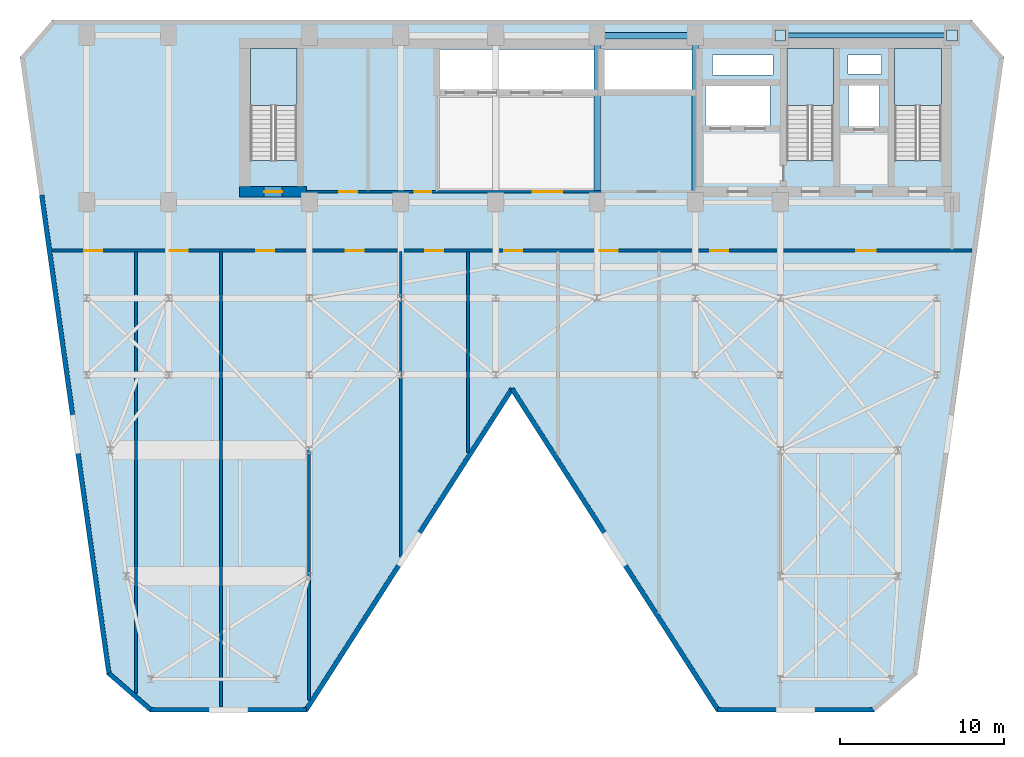
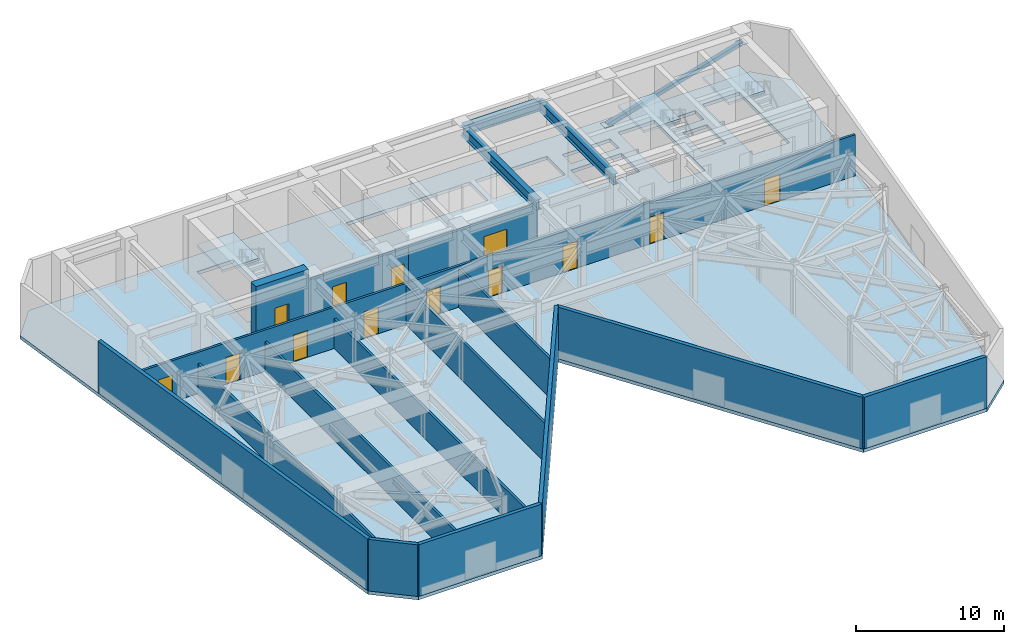
# One storey, part 3 of 8: 15 walls, 13 doors, 4 slabs, 3 beams, 2 plates, 1 member, 13 openings, 3 elements without a shape of their own.
"""IFC4 building model written with IfcOpenShell, lengths in metres."""

import ifcopenshell
import ifcopenshell.guid

model = None  # the IFC model being written
_history = None  # IfcOwnerHistory: only IFC2X3 demands one
_inside = {}  # id of a spatial element -> (the spatial element, [elements in it])
_under = {}  # id of a project, library or spatial element -> (it, [spatial elements below it])
_declared = {}  # id of a project -> (the project, [libraries it declares])
_typed = {}  # id of a type object -> (the type object, [elements of that type])
_made_of = {}  # id of a material, layer set ... -> (it, [elements and type objects made of it])


def new_model(schema):
    """Start an empty IFC model of exactly this schema.

    Asked for "IFC4X3", IfcOpenShell would pick the latest addendum, in which some entities
    have other attributes; the version numbers below select the first issue.
    IFC2X3 requires an IfcOwnerHistory on every rooted entity: one is made here for all.
    """
    global model, _history
    if schema == "IFC4X3":
        model = ifcopenshell.file(schema_version=(4, 3, 0, 0))
    else:
        model = ifcopenshell.file(schema=schema)
    _inside.clear()
    _under.clear()
    _declared.clear()
    _typed.clear()
    _made_of.clear()
    _history = None
    if model.schema == "IFC2X3":
        org = make("IfcOrganization", Name="unknown")
        user = make(
            "IfcPersonAndOrganization",
            ThePerson=make("IfcPerson", FamilyName="unknown"),
            TheOrganization=org,
        )
        app = make(
            "IfcApplication",
            ApplicationDeveloper=org,
            Version="unknown",
            ApplicationFullName="unknown",
            ApplicationIdentifier="unknown",
        )
        _history = make(
            "IfcOwnerHistory",
            OwningUser=user,
            OwningApplication=app,
            ChangeAction="ADDED",
            CreationDate=0,
        )
    return model


def make(cls, **values):
    """One entity of the class cls with the attributes given. An attribute that is None is left unset."""
    return model.create_entity(
        cls, **{name: value for name, value in values.items() if value is not None}
    )


def rooted(cls, **values):
    """An entity with a GlobalId (a new one), such as an element, a storey or a relation."""
    return make(cls, GlobalId=ifcopenshell.guid.new(), OwnerHistory=_history, **values)


def si_unit(unit_type, name, prefix=None):
    """IfcSIUnit, for example si_unit("LENGTHUNIT", "METRE", prefix="MILLI")."""
    return make("IfcSIUnit", UnitType=unit_type, Prefix=prefix, Name=name)


def assignment(units):
    """IfcUnitAssignment: the units of a project."""
    return None if units is None else make("IfcUnitAssignment", Units=units)


def point(xyz):
    """IfcCartesianPoint."""
    return None if xyz is None else make("IfcCartesianPoint", Coordinates=xyz)


def direction(xyz):
    """IfcDirection."""
    return None if xyz is None else make("IfcDirection", DirectionRatios=xyz)


def frame(location, z_axis=None, x_axis=None):
    """IfcAxis2Placement3D, a coordinate frame: its origin and axes. An axis left out is left unset."""
    return make(
        "IfcAxis2Placement3D",
        Location=point(location),
        Axis=direction(z_axis),
        RefDirection=direction(x_axis),
    )


def frame_2d(location, x_axis=None):
    """IfcAxis2Placement2D, a coordinate frame in the plane: its origin and x axis."""
    return make(
        "IfcAxis2Placement2D", Location=point(location), RefDirection=direction(x_axis)
    )


def origin():
    """The frame at (0, 0, 0) with its axes left unset."""
    return frame((0.0, 0.0, 0.0))


def origin_2d():
    """The frame at (0, 0) in the plane with its x axis left unset."""
    return frame_2d((0.0, 0.0))


def place(relative_to, where):
    """IfcLocalPlacement: puts the frame where relative to a parent placement (None: the world)."""
    return make(
        "IfcLocalPlacement", PlacementRelTo=relative_to, RelativePlacement=where
    )


def context(
    kind, dimensions, precision=None, world=None, true_north=None, identifier=None
):
    """IfcGeometricRepresentationContext, for example the 3D "Model" context."""
    return make(
        "IfcGeometricRepresentationContext",
        ContextIdentifier=identifier,
        ContextType=kind,
        CoordinateSpaceDimension=dimensions,
        Precision=precision,
        WorldCoordinateSystem=world,
        TrueNorth=true_north,
    )


def subcontext(parent, identifier, kind, view, scale=None):
    """IfcGeometricRepresentationSubContext, for example "Body" below "Model"."""
    return make(
        "IfcGeometricRepresentationSubContext",
        ContextIdentifier=identifier,
        ContextType=kind,
        ParentContext=parent,
        TargetScale=scale,
        TargetView=view,
    )


def project(units=None, contexts=None):
    """IfcProject with its units and contexts."""
    return rooted(
        "IfcProject",
        Name="project",
        RepresentationContexts=contexts,
        UnitsInContext=assignment(units),
    )


def spatial(cls, under=None, at=None, **own):
    """A site, building, storey or space (cls), placed at a placement, below another one or the project."""
    s = rooted(cls, ObjectPlacement=at, **own)
    if under is not None:
        _under.setdefault(under.id(), (under, []))[1].append(s)
    return s


def polyline(points):
    """IfcPolyline through the points."""
    return make("IfcPolyline", Points=[point(p) for p in points])


def profile(cls, at=None, kind="AREA", **sizes):
    """A parametric profile (cls). Its sizes go by their IFC names, for example OverallWidth=200.0."""
    return make(cls, ProfileType=kind, Position=at, **sizes)


def rectangle(**sizes):
    """IfcRectangleProfileDef."""
    return profile("IfcRectangleProfileDef", **sizes)


def hollow_rectangle(**sizes):
    """IfcRectangleHollowProfileDef."""
    return profile("IfcRectangleHollowProfileDef", **sizes)


def i_section(**sizes):
    """IfcIShapeProfileDef."""
    return profile("IfcIShapeProfileDef", **sizes)


def outline(outer, holes=None, kind="AREA"):
    """IfcArbitraryClosedProfileDef: a profile drawn as a closed curve; with holes, ...WithVoids."""
    if holes is None:
        return make("IfcArbitraryClosedProfileDef", ProfileType=kind, OuterCurve=outer)
    return make(
        "IfcArbitraryProfileDefWithVoids",
        ProfileType=kind,
        OuterCurve=outer,
        InnerCurves=holes,
    )


def extrude(swept, where, along, depth):
    """IfcExtrudedAreaSolid: the profile swept, set in the frame where, extruded along a direction by depth."""
    return make(
        "IfcExtrudedAreaSolid",
        SweptArea=swept,
        Position=where,
        ExtrudedDirection=direction(along),
        Depth=depth,
    )


def shape(context_of_items, identifier, shape_type, items):
    """IfcShapeRepresentation: the items that make up one representation, for example the "Body"."""
    return make(
        "IfcShapeRepresentation",
        ContextOfItems=context_of_items,
        RepresentationIdentifier=identifier,
        RepresentationType=shape_type,
        Items=items,
    )


def material(Name=None, Category=None):
    """IfcMaterial."""
    return make("IfcMaterial", Name=Name, Category=Category)


def layer(
    of_material, thickness, ventilated=None, Name=None, Category=None, Priority=None
):
    """IfcMaterialLayer: one layer of a wall or slab, of a material (None: an air gap)."""
    return make(
        "IfcMaterialLayer",
        Material=of_material,
        LayerThickness=thickness,
        IsVentilated=ventilated,
        Name=Name,
        Category=Category,
        Priority=Priority,
    )


def layer_set(layers, Name=None):
    """IfcMaterialLayerSet."""
    return make("IfcMaterialLayerSet", MaterialLayers=layers, LayerSetName=Name)


def material_profile(
    of_material, cross_section, Name=None, Category=None, Priority=None
):
    """IfcMaterialProfile: a cross section and its material."""
    return make(
        "IfcMaterialProfile",
        Name=Name,
        Material=of_material,
        Profile=cross_section,
        Priority=Priority,
        Category=Category,
    )


def profile_set(profiles, Name=None, composite=None):
    """IfcMaterialProfileSet."""
    return make(
        "IfcMaterialProfileSet",
        Name=Name,
        MaterialProfiles=profiles,
        CompositeProfile=composite,
    )


def made_of(thing, what):
    """Note that an element or type object is made of a material, layer set ...; save() writes the relation."""
    if what is not None:
        _made_of.setdefault(what.id(), (what, []))[1].append(thing)
    return thing


def type_object(cls, material=None, **own):
    """A type object (cls), such as IfcWallType, which elements share."""
    return made_of(rooted(cls, **own), material)


def element(
    cls,
    number,
    at=None,
    inside=None,
    cuts=None,
    type_object=None,
    material=None,
    context=None,
    identifier="Body",
    shape_type=None,
    held_by="IfcProductDefinitionShape",
    body=None,
    shapes=None,
    **own,
):
    """One element of the class cls, such as IfcWall. Its Tag is "e" and its number.

    at: its placement. inside: the storey or other place that contains it. cuts: it is an
    opening in that element (IfcRelVoidsElement). A single representation is given by context,
    identifier, shape_type and body (its items); several are given by shapes. held_by: the class
    of the entity that holds the representations. save() writes the other relations.
    """
    e = rooted(cls, Tag="e%d" % number, ObjectPlacement=at, **own)
    if body is not None:
        shapes = [shape(context, identifier, shape_type, body)]
    if shapes is not None:
        e.Representation = make(held_by, Representations=shapes)
    if inside is not None:
        _inside.setdefault(inside.id(), (inside, []))[1].append(e)
    if cuts is not None:
        rooted(
            "IfcRelVoidsElement", RelatingBuildingElement=cuts, RelatedOpeningElement=e
        )
    if type_object is not None:
        _typed.setdefault(type_object.id(), (type_object, []))[1].append(e)
    return made_of(e, material)


def fill(opening, filler):
    """IfcRelFillsElement: the door or window that sits in an opening."""
    return rooted(
        "IfcRelFillsElement",
        RelatingOpeningElement=opening,
        RelatedBuildingElement=filler,
    )


def aggregate(whole, parts):
    """IfcRelAggregates: a whole, such as a stair, and the parts it consists of."""
    return rooted("IfcRelAggregates", RelatingObject=whole, RelatedObjects=parts)


def save(model, path):
    """Write the relations noted so far, then the file.

    IfcRelAggregates (storeys below a building ...), IfcRelContainedInSpatialStructure (elements
    in a storey), IfcRelDefinesByType, IfcRelAssociatesMaterial and IfcRelDeclares: one each for
    every whole, place, type object, material and project.
    """
    for whole, parts in _under.values():
        aggregate(whole, parts)
    for where, things in _inside.values():
        rooted(
            "IfcRelContainedInSpatialStructure",
            RelatedElements=things,
            RelatingStructure=where,
        )
    for kind, things in _typed.values():
        rooted("IfcRelDefinesByType", RelatedObjects=things, RelatingType=kind)
    for what, things in _made_of.values():
        rooted("IfcRelAssociatesMaterial", RelatedObjects=things, RelatingMaterial=what)
    for by, libraries in _declared.values():
        rooted("IfcRelDeclares", RelatingContext=by, RelatedDefinitions=libraries)
    model.write(path)


model = new_model("IFC4")

# Units and contexts
model_context = context("Model", 3, precision=1e-05, world=origin(), true_north=direction((0.0, 1.0)))
body_context = subcontext(model_context, "Body", "Model", "MODEL_VIEW")
ifc_project = project(units=[si_unit("LENGTHUNIT", "METRE"), si_unit("AREAUNIT", "SQUARE_METRE"), si_unit("VOLUMEUNIT", "CUBIC_METRE"), si_unit("PLANEANGLEUNIT", "RADIAN"), si_unit("MASSUNIT", "GRAM", prefix="KILO")], contexts=[model_context])

# Site, building, storey
site_placement = place(None, origin())
site = spatial("IfcSite", under=ifc_project, at=site_placement, CompositionType="ELEMENT")
building_placement = place(site_placement, origin())
building = spatial("IfcBuilding", under=site, at=building_placement, Name="Kravanh Interchange Tower", CompositionType="ELEMENT")
storey_placement = place(building_placement, frame((0.0, 0.0, 156.0)))
storey = spatial("IfcBuildingStorey", under=building, at=storey_placement, Name="L37", CompositionType="ELEMENT", Elevation=156.0)

# Beams
ifc_material_1 = material(Name="Structural Steel S355", Category="steel")
ifc_material_profile_1 = material_profile(ifc_material_1, i_section(OverallWidth=0.39990234375, OverallDepth=0.85595703125, WebThickness=0.018310546875, FlangeThickness=0.029296875, FilletRadius=0.02490234375, at=origin_2d()), Name="W33X201")
ifc_profile_set_1 = profile_set([ifc_material_profile_1], Name="Structural Steel S355")
beam_type = type_object("IfcBeamType", Name="Floor Beam W33X201 Structural Steel S355", PredefinedType="BEAM", material=ifc_profile_set_1)
beam_placement = place(storey_placement, frame((50.800048828125, 47.550048828125, 3.822021484375), z_axis=(-1.0, 0.0, 0.0), x_axis=(0.0, -1.0, 0.0)))
element("IfcBeam", 1, at=beam_placement, inside=storey, type_object=beam_type, Name="L37 Primary Floor Girder 8", PredefinedType="BEAM", context=body_context, shape_type="SweptSolid", body=[
    extrude(i_section(OverallWidth=0.39990234375, OverallDepth=0.85595703125, WebThickness=0.018310546875, FlangeThickness=0.029296875, FilletRadius=0.02490234375, at=origin_2d()), origin(), (0.0, 0.0, 1.0), 6.0),
])
for number, where, z_axis, x_axis, name in (
    (2, (50.800048828125, 47.550048828125, 3.822021484375), (0.0, -1.0, 0.0), (1.0, 0.0, 0.0), "L37 Primary Floor Girder 9"),
    (3, (44.800048828125, 37.35009765625, 3.822021484375), (0.0, 1.0, 0.0), (-1.0, 0.0, 0.0), "L37 Primary Floor Girder 14"),
):
    element("IfcBeam", number, at=place(storey_placement, frame(where, z_axis=z_axis, x_axis=x_axis)), inside=storey, type_object=beam_type, Name=name, PredefinedType="BEAM", context=body_context, shape_type="SweptSolid", body=[
        extrude(i_section(OverallWidth=0.39990234375, OverallDepth=0.85595703125, WebThickness=0.018310546875, FlangeThickness=0.029296875, FilletRadius=0.02490234375, at=origin_2d()), origin(), (0.0, 0.0, 1.0), 10.199951171875),
    ])

# Member
ifc_material_2 = material(Name="Structural Steel S355", Category="steel")
ifc_material_profile_2 = material_profile(ifc_material_2, hollow_rectangle(XDim=0.300048828125, YDim=0.300048828125, WallThickness=0.011962890625, at=origin_2d()), Name="HSS300X300X12")
ifc_profile_set_2 = profile_set([ifc_material_profile_2], Name="Structural Steel S355")
member_type = type_object("IfcMemberType", Name="Frame Brace HSS300X300X12 Structural Steel S355", PredefinedType="BRACE", material=ifc_profile_set_2)
member_placement = place(storey_placement, frame((56.0, 47.550048828125, 0.300048828125), z_axis=(0.959222964601, 0.0, 0.282650498288), x_axis=(0.0, 1.0, 0.0)))
element("IfcMember", 4, at=member_placement, inside=storey, type_object=member_type, Name="L37 Spine Frame Steel Brace 1", PredefinedType="BRACE", context=body_context, shape_type="SweptSolid", body=[
    extrude(hollow_rectangle(XDim=0.300048828125, YDim=0.300048828125, WallThickness=0.011962890625, at=origin_2d()), origin(), (0.0, 0.0, 1.0), 10.9462890625),
])

# Slab
ifc_material_3 = material(Name="Concrete C60/75", Category="concrete")
ifc_layer_1 = layer(ifc_material_3, 0.280029296875)
ifc_layer_set_1 = layer_set([ifc_layer_1], Name="Composite Floor Slab Concrete C60/75 280mm")
slab_type_1 = type_object("IfcSlabType", Name="Composite Floor Slab Concrete C60/75 280mm", PredefinedType="FLOOR", material=ifc_layer_set_1)
slab_1_placement = place(storey_placement, frame((0.0, 0.0, -0.280029296875)))
element("IfcSlab", 5, at=slab_1_placement, inside=storey, type_object=slab_type_1, Name="L37 Structural Floor Slab", PredefinedType="FLOOR", context=body_context, shape_type="SweptSolid", body=[
    extrude(outline(polyline([(14.82470703125, 8.4775390625), (17.44482421875, 6.199951171875), (27.10009765625, 6.199951171875), (39.60009765625, 25.699951171875), (52.10009765625, 6.199951171875), (61.755126953125, 6.199951171875), (64.375244140625, 8.4775390625), (69.679931640625, 46.222412109375), (67.699951171875, 48.5), (11.5, 48.5), (9.52001953125, 46.222412109375), (14.82470703125, 8.4775390625)]), holes=[polyline([(65.85009765625, 39.925048828125), (65.85009765625, 46.75), (63.0, 46.75), (63.0, 39.925048828125), (65.85009765625, 39.925048828125)]), polyline([(59.25, 39.925048828125), (59.25, 46.75), (56.39990234375, 46.75), (56.39990234375, 39.925048828125), (59.25, 39.925048828125)]), polyline([(26.449951171875, 39.925048828125), (26.449951171875, 46.75), (23.60009765625, 46.75), (23.60009765625, 39.925048828125), (26.449951171875, 39.925048828125)]), polyline([(35.179931640625, 44.219970703125), (44.840087890625, 44.219970703125), (44.840087890625, 46.699951171875), (35.179931640625, 46.699951171875), (35.179931640625, 44.219970703125)]), polyline([(45.239990234375, 44.219970703125), (50.840087890625, 44.219970703125), (50.840087890625, 46.699951171875), (45.239990234375, 46.699951171875), (45.239990234375, 44.219970703125)]), polyline([(51.419921875, 42.02001953125), (55.3798828125, 42.02001953125), (55.3798828125, 44.47998046875), (51.419921875, 44.47998046875), (51.419921875, 42.02001953125)]), polyline([(60.179931640625, 41.97998046875), (62.06005859375, 41.97998046875), (62.06005859375, 44.52001953125), (60.179931640625, 44.52001953125), (60.179931640625, 41.97998046875)]), polyline([(60.14990234375, 45.199951171875), (62.199951171875, 45.199951171875), (62.199951171875, 46.35009765625), (60.14990234375, 46.35009765625), (60.14990234375, 45.199951171875)]), polyline([(51.85009765625, 45.14990234375), (55.550048828125, 45.14990234375), (55.550048828125, 46.35009765625), (51.85009765625, 46.35009765625), (51.85009765625, 45.14990234375)])]), origin(), (0.0, 0.0, 1.0), 0.280029296875),
])

# Stair, slab
ifc_material_4 = material(Name="Concrete C50/60", Category="concrete")
stair_type = type_object("IfcStairType", Name="Core Fire Exit Dogleg Stair Concrete C50/60", PredefinedType="HALF_TURN_STAIR", material=ifc_material_4)
stair_1_placement = place(storey_placement, origin())
stair_1 = element("IfcStair", 6, at=stair_1_placement, inside=storey, type_object=stair_type, Name="L37 Exit Stair ST1", PredefinedType="HALF_TURN_STAIR")
ifc_material_5 = material(Name="Concrete C50/60", Category="concrete")
ifc_layer_2 = layer(ifc_material_5, 0.199951171875)
ifc_layer_set_2 = layer_set([ifc_layer_2], Name="Concrete C50/60 Stair Half-Landing Slab 200mm")
slab_type_2 = type_object("IfcSlabType", Name="Concrete C50/60 Stair Half-Landing Slab 200mm", PredefinedType="LANDING", material=ifc_layer_set_2)
slab_2_placement = place(storey_placement, frame((0.0, 0.0, 2.050048828125)))
slab_2 = element("IfcSlab", 7, at=slab_2_placement, type_object=slab_type_2, Name="ST1 landing 1", PredefinedType="LANDING", context=body_context, shape_type="SweptSolid", body=[
    extrude(outline(polyline([(65.85009765625, 43.260009765625), (65.85009765625, 46.75), (63.0, 46.75), (63.0, 43.260009765625), (65.85009765625, 43.260009765625)])), origin(), (0.0, 0.0, 1.0), 0.199951171875),
])
aggregate(stair_1, [slab_2])

stair_2_placement = place(storey_placement, origin())
stair_2 = element("IfcStair", 8, at=stair_2_placement, inside=storey, type_object=stair_type, Name="L37 Exit Stair ST2", PredefinedType="HALF_TURN_STAIR")
slab_3_placement = place(storey_placement, frame((0.0, 0.0, 2.050048828125)))
slab_3 = element("IfcSlab", 9, at=slab_3_placement, type_object=slab_type_2, Name="ST2 landing 1", PredefinedType="LANDING", context=body_context, shape_type="SweptSolid", body=[
    extrude(outline(polyline([(59.25, 43.260009765625), (59.25, 46.75), (56.39990234375, 46.75), (56.39990234375, 43.260009765625), (59.25, 43.260009765625)])), origin(), (0.0, 0.0, 1.0), 0.199951171875),
])
aggregate(stair_2, [slab_3])

stair_3_placement = place(storey_placement, origin())
stair_3 = element("IfcStair", 10, at=stair_3_placement, inside=storey, type_object=stair_type, Name="L37 Exit Stair ST3", PredefinedType="HALF_TURN_STAIR")
slab_4_placement = place(storey_placement, frame((0.0, 0.0, 2.050048828125)))
slab_4 = element("IfcSlab", 11, at=slab_4_placement, type_object=slab_type_2, Name="ST3 landing 1", PredefinedType="LANDING", context=body_context, shape_type="SweptSolid", body=[
    extrude(outline(polyline([(26.449951171875, 43.260009765625), (26.449951171875, 46.75), (23.60009765625, 46.75), (23.60009765625, 43.260009765625), (26.449951171875, 43.260009765625)])), origin(), (0.0, 0.0, 1.0), 0.199951171875),
])
aggregate(stair_3, [slab_4])

# Plates
ifc_material_6 = material(Name="Structural Steel S450", Category="steel")
ifc_layer_3 = layer(ifc_material_6, 0.031982421875)
ifc_layer_set_3 = layer_set([ifc_layer_3], Name="Flange Continuity Node Plate 650x650x32 S450")
plate_type = type_object("IfcPlateType", Name="Flange Continuity Node Plate 650x650x32 S450", PredefinedType="SHEET", material=ifc_layer_set_3)
for number, where, z_axis, x_axis, name in (
    (12, (56.0, 47.550048828125, 0.2841796875), (0.0, 0.0, 1.0), (1.0, 0.0, 0.0), "L37 Spine Brace Lower Gusset Plate"),
    (13, (66.5, 47.550048828125, 3.3779296875), (0.0, 0.0, 1.0), (1.0, 0.0, 0.0), "L37 Spine Brace Upper Gusset Plate"),
):
    element("IfcPlate", number, at=place(storey_placement, frame(where, z_axis=z_axis, x_axis=x_axis)), inside=storey, type_object=plate_type, Name=name, PredefinedType="SHEET", context=body_context, shape_type="SweptSolid", body=[
        extrude(rectangle(XDim=0.64990234375, YDim=0.64990234375, at=origin_2d()), origin(), (0.0, 0.0, 1.0), 0.031982421875),
    ])

# Wall, opening, door
ifc_material_7 = material(Name="Concrete C70/85", Category="concrete")
ifc_layer_4 = layer(ifc_material_7, 0.64990234375)
ifc_layer_set_4 = layer_set([ifc_layer_4], Name="Core Shear Wall Concrete C70/85 650mm")
wall_type_1 = type_object("IfcWallType", Name="Core Shear Wall Concrete C70/85 650mm", PredefinedType="SHEAR", material=ifc_layer_set_4)
wall_1_placement = place(storey_placement, frame((22.949951171875, 38.0, 0.0), z_axis=(0.0, 0.0, 1.0), x_axis=(1.0, 0.0, 0.0)))
wall_1 = element("IfcWall", 14, at=wall_1_placement, inside=storey, type_object=wall_type_1, Name="L37 Stair ST3 South Shear Wall", PredefinedType="SHEAR", context=body_context, shape_type="SweptSolid", body=[
    extrude(rectangle(XDim=4.10009765625, YDim=0.64990234375, at=frame_2d((2.050048828125, 0.0))), origin(), (0.0, 0.0, 1.0), 4.5),
])
opening_1_placement = place(wall_1_placement, frame((1.5, 0.0, 0.0)))
opening_1 = element("IfcOpeningElement", 15, at=opening_1_placement, cuts=wall_1, Name="Opening D-STAIR-110", PredefinedType="OPENING", context=body_context, shape_type="SweptSolid", body=[
    extrude(rectangle(XDim=1.10009765625, YDim=2.199951171875, at=frame_2d((0.550048828125, 1.10009765625))), frame((0.0, 0.3349609375, 0.0), z_axis=(0.0, -1.0, 0.0), x_axis=(1.0, 0.0, 0.0)), (0.0, 0.0, 1.0), 0.669921875),
])
ifc_material_8 = material(Name="Structural Steel S355", Category="steel")
door_type_1 = type_object("IfcDoorType", Name="Fire-Rated Exit Stair Door 1100x2200", OperationType="NOTDEFINED", PredefinedType="DOOR", material=ifc_material_8)
door_1_placement = place(opening_1_placement, origin())
door_1 = element("IfcDoor", 16, at=door_1_placement, inside=storey, type_object=door_type_1, Name="L37 Exit Stair ST3 Door", OperationType="SINGLE_SWING_RIGHT", OverallHeight=2.199951171875, OverallWidth=1.10009765625, PredefinedType="DOOR", context=body_context, shape_type="SweptSolid", body=[
    extrude(rectangle(XDim=1.10009765625, YDim=2.199951171875, at=frame_2d((0.550048828125, 1.10009765625))), frame((0.0, 0.02490234375, 0.0), z_axis=(0.0, -1.0, 0.0), x_axis=(1.0, 0.0, 0.0)), (0.0, 0.0, 1.0), 0.050048828125),
])
fill(opening_1, door_1)

# Walls
ifc_material_9 = material(Name="Insulated Precast Concrete C40/50 with Bronze Cladding", Category="concrete")
ifc_layer_5 = layer(ifc_material_9, 0.280029296875)
ifc_layer_set_5 = layer_set([ifc_layer_5], Name="Exterior Insulated Concrete C40/50 Bronze Spandrel Wall 280mm")
wall_type_2 = type_object("IfcWallType", Name="Exterior Insulated Concrete C40/50 Bronze Spandrel Wall 280mm", PredefinedType="STANDARD", material=ifc_layer_set_5)
wall_2_placement = place(storey_placement, frame((14.956298828125, 8.548828125, 0.0), z_axis=(0.0, 0.0, 1.0), x_axis=(-0.139176188744, 0.990267634777, 0.0)))
element("IfcWall", 17, at=wall_2_placement, inside=storey, type_object=wall_type_2, Name="L37 Exterior Enclosure Wall 1", PredefinedType="STANDARD", context=body_context, shape_type="SweptSolid", body=[
    extrude(rectangle(XDim=29.538818359375, YDim=0.280029296875, at=frame_2d((14.76953125, 0.0))), origin(), (0.0, 0.0, 1.0), 4.25),
])
wall_3_placement = place(storey_placement, frame((61.702880859375, 6.340087890625, 0.0), z_axis=(0.0, 0.0, 1.0), x_axis=(-1.0, 0.0, 0.0)))
element("IfcWall", 18, at=wall_3_placement, inside=storey, type_object=wall_type_2, Name="L37 Exterior Enclosure Wall 9", PredefinedType="STANDARD", context=body_context, shape_type="SweptSolid", body=[
    extrude(rectangle(XDim=9.5263671875, YDim=0.280029296875, at=frame_2d((4.76318359375, 0.0))), origin(), (0.0, 0.0, 1.0), 4.25),
])
wall_4_placement = place(storey_placement, frame((52.176513671875, 6.340087890625, 0.0), z_axis=(0.0, 0.0, 1.0), x_axis=(-0.539662687725, 0.841881335746, 0.0)))
element("IfcWall", 19, at=wall_4_placement, inside=storey, type_object=wall_type_2, Name="L37 Exterior Enclosure Wall 10", PredefinedType="STANDARD", context=body_context, shape_type="SweptSolid", body=[
    extrude(rectangle(XDim=23.30419921875, YDim=0.280029296875, at=frame_2d((11.652099609375, 0.0))), origin(), (0.0, 0.0, 1.0), 4.25),
])
wall_5_placement = place(storey_placement, frame((39.60009765625, 25.95947265625, 0.0), z_axis=(0.0, 0.0, 1.0), x_axis=(-0.539670112848, -0.841876576048, 0.0)))
element("IfcWall", 20, at=wall_5_placement, inside=storey, type_object=wall_type_2, Name="L37 Exterior Enclosure Wall 11", PredefinedType="STANDARD", context=body_context, shape_type="SweptSolid", body=[
    extrude(rectangle(XDim=23.304443359375, YDim=0.280029296875, at=frame_2d((11.65234375, 0.0))), origin(), (0.0, 0.0, 1.0), 4.25),
])
wall_6_placement = place(storey_placement, frame((27.0234375, 6.340087890625, 0.0), z_axis=(0.0, 0.0, 1.0), x_axis=(-1.0, 0.0, 0.0)))
element("IfcWall", 21, at=wall_6_placement, inside=storey, type_object=wall_type_2, Name="L37 Exterior Enclosure Wall 12", PredefinedType="STANDARD", context=body_context, shape_type="SweptSolid", body=[
    extrude(rectangle(XDim=9.526123046875, YDim=0.280029296875, at=frame_2d((4.76318359375, 0.0))), origin(), (0.0, 0.0, 1.0), 4.25),
])
wall_7_placement = place(storey_placement, frame((17.497314453125, 6.340087890625, 0.0), z_axis=(0.0, 0.0, 1.0), x_axis=(-0.754728837785, 0.656036875042, 0.0)))
element("IfcWall", 22, at=wall_7_placement, inside=storey, type_object=wall_type_2, Name="L37 Exterior Enclosure Wall 13", PredefinedType="STANDARD", context=body_context, shape_type="SweptSolid", body=[
    extrude(rectangle(XDim=3.36669921875, YDim=0.280029296875, at=frame_2d((1.683349609375, 0.0))), origin(), (0.0, 0.0, 1.0), 4.25),
])

# Wall, openings, doors
ifc_material_10 = material(Name="Autoclaved Aerated Concrete C30/37 Blockwork", Category="masonry")
ifc_layer_6 = layer(ifc_material_10, 0.179931640625)
ifc_layer_set_6 = layer_set([ifc_layer_6], Name="Fire-Rated Lobby and Corridor Wall Concrete C30/37 180mm")
wall_type_3 = type_object("IfcWallType", Name="Fire-Rated Lobby and Corridor Wall Concrete C30/37 180mm", PredefinedType="STANDARD", material=ifc_layer_set_6)
wall_8_placement = place(storey_placement, frame((27.050048828125, 38.0, 0.0), z_axis=(0.0, 0.0, 1.0), x_axis=(1.0, 0.0, 0.0)))
wall_8 = element("IfcWall", 23, at=wall_8_placement, inside=storey, type_object=wall_type_3, Name="L37 Interior Partition 2", PredefinedType="STANDARD", context=body_context, shape_type="SweptSolid", body=[
    extrude(rectangle(XDim=7.949951171875, YDim=0.179931640625, at=frame_2d((3.97509765625, 0.0))), origin(), (0.0, 0.0, 1.0), 3.39404296875),
])
opening_2_placement = place(wall_8_placement, frame((2.0, 0.0, 0.0)))
opening_2 = element("IfcOpeningElement", 24, at=opening_2_placement, cuts=wall_8, Name="Opening D-STAIR-110", PredefinedType="OPENING", context=body_context, shape_type="SweptSolid", body=[
    extrude(rectangle(XDim=1.10009765625, YDim=2.199951171875, at=frame_2d((0.550048828125, 1.10009765625))), frame((0.0, 0.10009765625, 0.0), z_axis=(0.0, -1.0, 0.0), x_axis=(1.0, 0.0, 0.0)), (0.0, 0.0, 1.0), 0.199951171875),
])
opening_3_placement = place(wall_8_placement, frame((6.60009765625, 0.0, 0.0)))
opening_3 = element("IfcOpeningElement", 25, at=opening_3_placement, cuts=wall_8, Name="Opening D-HOTEL-100", PredefinedType="OPENING", context=body_context, shape_type="SweptSolid", body=[
    extrude(rectangle(XDim=1.0, YDim=2.14990234375, at=frame_2d((0.5, 1.074951171875))), frame((0.0, 0.10009765625, 0.0), z_axis=(0.0, -1.0, 0.0), x_axis=(1.0, 0.0, 0.0)), (0.0, 0.0, 1.0), 0.199951171875),
])
door_2_placement = place(opening_2_placement, origin())
door_2 = element("IfcDoor", 26, at=door_2_placement, inside=storey, type_object=door_type_1, Name="L37 Core Booster Tank Room Door", OperationType="SINGLE_SWING_RIGHT", OverallHeight=2.199951171875, OverallWidth=1.10009765625, PredefinedType="DOOR", context=body_context, shape_type="SweptSolid", body=[
    extrude(rectangle(XDim=1.10009765625, YDim=2.199951171875, at=frame_2d((0.550048828125, 1.10009765625))), frame((0.0, 0.02490234375, 0.0), z_axis=(0.0, -1.0, 0.0), x_axis=(1.0, 0.0, 0.0)), (0.0, 0.0, 1.0), 0.050048828125),
])
fill(opening_2, door_2)
ifc_material_11 = material(Name="Fire-Rated Solid Timber Leaf", Category="wood")
door_type_2 = type_object("IfcDoorType", Name="Fire-Rated Suite Entrance Door 1000x2150", OperationType="NOTDEFINED", PredefinedType="DOOR", material=ifc_material_11)
door_3_placement = place(opening_3_placement, origin())
door_3 = element("IfcDoor", 27, at=door_3_placement, inside=storey, type_object=door_type_2, Name="L37 Core Switchgear Room Door", OperationType="SINGLE_SWING_LEFT", OverallHeight=2.14990234375, OverallWidth=1.0, PredefinedType="DOOR", context=body_context, shape_type="SweptSolid", body=[
    extrude(rectangle(XDim=1.0, YDim=2.14990234375, at=frame_2d((0.5, 1.074951171875))), frame((0.0, 0.02490234375, 0.0), z_axis=(0.0, -1.0, 0.0), x_axis=(1.0, 0.0, 0.0)), (0.0, 0.0, 1.0), 0.050048828125),
])
fill(opening_3, door_3)

# Wall, opening, door
wall_9_placement = place(storey_placement, frame((35.0, 38.0, 0.0), z_axis=(0.0, 0.0, 1.0), x_axis=(1.0, 0.0, 0.0)))
wall_9 = element("IfcWall", 28, at=wall_9_placement, inside=storey, type_object=wall_type_3, Name="L37 Interior Partition 5", PredefinedType="STANDARD", context=body_context, shape_type="SweptSolid", body=[
    extrude(rectangle(XDim=10.050048828125, YDim=0.179931640625, at=frame_2d((5.02490234375, 0.0))), origin(), (0.0, 0.0, 1.0), 3.39404296875),
])
opening_4_placement = place(wall_9_placement, frame((5.85791015625, 0.0, 0.0)))
opening_4 = element("IfcOpeningElement", 29, at=opening_4_placement, cuts=wall_9, Name="Opening DBL-180", PredefinedType="OPENING", context=body_context, shape_type="SweptSolid", body=[
    extrude(rectangle(XDim=1.800048828125, YDim=2.199951171875, at=frame_2d((0.89990234375, 1.10009765625))), frame((0.0, 0.10009765625, 0.0), z_axis=(0.0, -1.0, 0.0), x_axis=(1.0, 0.0, 0.0)), (0.0, 0.0, 1.0), 0.199951171875),
])
ifc_material_12 = material(Name="Structural Steel S355", Category="steel")
door_type_3 = type_object("IfcDoorType", Name="Lift Lobby Double Fire Door 1800x2200", OperationType="DOUBLE_DOOR_SINGLE_SWING", PredefinedType="DOOR", material=ifc_material_12)
door_4_placement = place(opening_4_placement, origin())
door_4 = element("IfcDoor", 30, at=door_4_placement, inside=storey, type_object=door_type_3, Name="L37 Mid-Rise Lift Lobby Door", OperationType="DOUBLE_DOOR_SINGLE_SWING", OverallHeight=2.199951171875, OverallWidth=1.800048828125, PredefinedType="DOOR", context=body_context, shape_type="SweptSolid", body=[
    extrude(rectangle(XDim=1.800048828125, YDim=2.199951171875, at=frame_2d((0.89990234375, 1.10009765625))), frame((0.0, 0.02490234375, 0.0), z_axis=(0.0, -1.0, 0.0), x_axis=(1.0, 0.0, 0.0)), (0.0, 0.0, 1.0), 0.050048828125),
])
fill(opening_4, door_4)

# Wall, openings, doors
wall_10_placement = place(storey_placement, frame((11.48974609375, 34.39990234375, 0.0), z_axis=(0.0, 0.0, 1.0), x_axis=(1.0, 0.0, 0.0)))
wall_10 = element("IfcWall", 31, at=wall_10_placement, inside=storey, type_object=wall_type_3, Name="L37 Interior Partition 6", PredefinedType="STANDARD", context=body_context, shape_type="SweptSolid", body=[
    extrude(rectangle(XDim=56.220458984375, YDim=0.179931640625, at=frame_2d((28.1103515625, 0.0))), origin(), (0.0, 0.0, 1.0), 3.39404296875),
])
opening_5_placement = place(wall_10_placement, frame((49.160400390625, 0.0, 0.0)))
opening_5 = element("IfcOpeningElement", 32, at=opening_5_placement, cuts=wall_10, Name="Opening D-FSAE-120", PredefinedType="OPENING", context=body_context, shape_type="SweptSolid", body=[
    extrude(rectangle(XDim=1.199951171875, YDim=2.199951171875, at=frame_2d((0.60009765625, 1.10009765625))), frame((0.0, 0.10009765625, 0.0), z_axis=(0.0, -1.0, 0.0), x_axis=(1.0, 0.0, 0.0)), (0.0, 0.0, 1.0), 0.199951171875),
])
opening_6_placement = place(wall_10_placement, frame((1.9453125, 0.0, 0.0)))
opening_6 = element("IfcOpeningElement", 33, at=opening_6_placement, cuts=wall_10, Name="Opening D-STAIR-110", PredefinedType="OPENING", context=body_context, shape_type="SweptSolid", body=[
    extrude(rectangle(XDim=1.10009765625, YDim=2.199951171875, at=frame_2d((0.550048828125, 1.10009765625))), frame((0.0, 0.10009765625, 0.0), z_axis=(0.0, -1.0, 0.0), x_axis=(1.0, 0.0, 0.0)), (0.0, 0.0, 1.0), 0.199951171875),
])
opening_7_placement = place(wall_10_placement, frame((7.200927734375, 0.0, 0.0)))
opening_7 = element("IfcOpeningElement", 34, at=opening_7_placement, cuts=wall_10, Name="Opening D-STAIR-110", PredefinedType="OPENING", context=body_context, shape_type="SweptSolid", body=[
    extrude(rectangle(XDim=1.10009765625, YDim=2.199951171875, at=frame_2d((0.550048828125, 1.10009765625))), frame((0.0, 0.10009765625, 0.0), z_axis=(0.0, -1.0, 0.0), x_axis=(1.0, 0.0, 0.0)), (0.0, 0.0, 1.0), 0.199951171875),
])
opening_8_placement = place(wall_10_placement, frame((12.460205078125, 0.0, 0.0)))
opening_8 = element("IfcOpeningElement", 35, at=opening_8_placement, cuts=wall_10, Name="Opening D-STAIR-110", PredefinedType="OPENING", context=body_context, shape_type="SweptSolid", body=[
    extrude(rectangle(XDim=1.10009765625, YDim=2.199951171875, at=frame_2d((0.550048828125, 1.10009765625))), frame((0.0, 0.10009765625, 0.0), z_axis=(0.0, -1.0, 0.0), x_axis=(1.0, 0.0, 0.0)), (0.0, 0.0, 1.0), 0.199951171875),
])
opening_9_placement = place(wall_10_placement, frame((17.960205078125, 0.0, 0.0)))
opening_9 = element("IfcOpeningElement", 36, at=opening_9_placement, cuts=wall_10, Name="Opening D-STAIR-110", PredefinedType="OPENING", context=body_context, shape_type="SweptSolid", body=[
    extrude(rectangle(XDim=1.10009765625, YDim=2.199951171875, at=frame_2d((0.550048828125, 1.10009765625))), frame((0.0, 0.10009765625, 0.0), z_axis=(0.0, -1.0, 0.0), x_axis=(1.0, 0.0, 0.0)), (0.0, 0.0, 1.0), 0.199951171875),
])
opening_10_placement = place(wall_10_placement, frame((22.810302734375, 0.0, 0.0)))
opening_10 = element("IfcOpeningElement", 37, at=opening_10_placement, cuts=wall_10, Name="Opening D-STAIR-110", PredefinedType="OPENING", context=body_context, shape_type="SweptSolid", body=[
    extrude(rectangle(XDim=1.10009765625, YDim=2.199951171875, at=frame_2d((0.550048828125, 1.10009765625))), frame((0.0, 0.10009765625, 0.0), z_axis=(0.0, -1.0, 0.0), x_axis=(1.0, 0.0, 0.0)), (0.0, 0.0, 1.0), 0.199951171875),
])
opening_11_placement = place(wall_10_placement, frame((27.650634765625, 0.0, 0.0)))
opening_11 = element("IfcOpeningElement", 38, at=opening_11_placement, cuts=wall_10, Name="Opening D-STAIR-110", PredefinedType="OPENING", context=body_context, shape_type="SweptSolid", body=[
    extrude(rectangle(XDim=1.10009765625, YDim=2.199951171875, at=frame_2d((0.550048828125, 1.10009765625))), frame((0.0, 0.10009765625, 0.0), z_axis=(0.0, -1.0, 0.0), x_axis=(1.0, 0.0, 0.0)), (0.0, 0.0, 1.0), 0.199951171875),
])
opening_12_placement = place(wall_10_placement, frame((33.460205078125, 0.0, 0.0)))
opening_12 = element("IfcOpeningElement", 39, at=opening_12_placement, cuts=wall_10, Name="Opening D-STAIR-110", PredefinedType="OPENING", context=body_context, shape_type="SweptSolid", body=[
    extrude(rectangle(XDim=1.10009765625, YDim=2.199951171875, at=frame_2d((0.550048828125, 1.10009765625))), frame((0.0, 0.10009765625, 0.0), z_axis=(0.0, -1.0, 0.0), x_axis=(1.0, 0.0, 0.0)), (0.0, 0.0, 1.0), 0.199951171875),
])
opening_13_placement = place(wall_10_placement, frame((40.22021484375, 0.0, 0.0)))
opening_13 = element("IfcOpeningElement", 40, at=opening_13_placement, cuts=wall_10, Name="Opening D-STAIR-110", PredefinedType="OPENING", context=body_context, shape_type="SweptSolid", body=[
    extrude(rectangle(XDim=1.10009765625, YDim=2.199951171875, at=frame_2d((0.550048828125, 1.10009765625))), frame((0.0, 0.10009765625, 0.0), z_axis=(0.0, -1.0, 0.0), x_axis=(1.0, 0.0, 0.0)), (0.0, 0.0, 1.0), 0.199951171875),
])
door_5_placement = place(opening_6_placement, origin())
door_5 = element("IfcDoor", 41, at=door_5_placement, inside=storey, type_object=door_type_1, Name="L37 Chiller Heat Exchanger Plant Room Door", OperationType="SINGLE_SWING_LEFT", OverallHeight=2.199951171875, OverallWidth=1.10009765625, PredefinedType="DOOR", context=body_context, shape_type="SweptSolid", body=[
    extrude(rectangle(XDim=1.10009765625, YDim=2.199951171875, at=frame_2d((0.550048828125, 1.10009765625))), frame((0.0, 0.02490234375, 0.0), z_axis=(0.0, -1.0, 0.0), x_axis=(1.0, 0.0, 0.0)), (0.0, 0.0, 1.0), 0.050048828125),
])
fill(opening_6, door_5)
door_6_placement = place(opening_7_placement, origin())
door_6 = element("IfcDoor", 42, at=door_6_placement, inside=storey, type_object=door_type_1, Name="L37 Primary AHU Plant Room Door", OperationType="SINGLE_SWING_RIGHT", OverallHeight=2.199951171875, OverallWidth=1.10009765625, PredefinedType="DOOR", context=body_context, shape_type="SweptSolid", body=[
    extrude(rectangle(XDim=1.10009765625, YDim=2.199951171875, at=frame_2d((0.550048828125, 1.10009765625))), frame((0.0, 0.02490234375, 0.0), z_axis=(0.0, -1.0, 0.0), x_axis=(1.0, 0.0, 0.0)), (0.0, 0.0, 1.0), 0.050048828125),
])
fill(opening_7, door_6)
door_7_placement = place(opening_8_placement, origin())
door_7 = element("IfcDoor", 43, at=door_7_placement, inside=storey, type_object=door_type_1, Name="L37 Secondary AHU Plant Room Door", OperationType="SINGLE_SWING_LEFT", OverallHeight=2.199951171875, OverallWidth=1.10009765625, PredefinedType="DOOR", context=body_context, shape_type="SweptSolid", body=[
    extrude(rectangle(XDim=1.10009765625, YDim=2.199951171875, at=frame_2d((0.550048828125, 1.10009765625))), frame((0.0, 0.02490234375, 0.0), z_axis=(0.0, -1.0, 0.0), x_axis=(1.0, 0.0, 0.0)), (0.0, 0.0, 1.0), 0.050048828125),
])
fill(opening_8, door_7)
door_8_placement = place(opening_9_placement, origin())
door_8 = element("IfcDoor", 44, at=door_8_placement, inside=storey, type_object=door_type_1, Name="L37 Smoke Control Mechanical Plant Room Door", OperationType="SINGLE_SWING_RIGHT", OverallHeight=2.199951171875, OverallWidth=1.10009765625, PredefinedType="DOOR", context=body_context, shape_type="SweptSolid", body=[
    extrude(rectangle(XDim=1.10009765625, YDim=2.199951171875, at=frame_2d((0.550048828125, 1.10009765625))), frame((0.0, 0.02490234375, 0.0), z_axis=(0.0, -1.0, 0.0), x_axis=(1.0, 0.0, 0.0)), (0.0, 0.0, 1.0), 0.050048828125),
])
fill(opening_9, door_8)
door_9_placement = place(opening_10_placement, origin())
door_9 = element("IfcDoor", 45, at=door_9_placement, inside=storey, type_object=door_type_1, Name="L37 HV Electrical Switchroom Door", OperationType="SINGLE_SWING_LEFT", OverallHeight=2.199951171875, OverallWidth=1.10009765625, PredefinedType="DOOR", context=body_context, shape_type="SweptSolid", body=[
    extrude(rectangle(XDim=1.10009765625, YDim=2.199951171875, at=frame_2d((0.550048828125, 1.10009765625))), frame((0.0, 0.02490234375, 0.0), z_axis=(0.0, -1.0, 0.0), x_axis=(1.0, 0.0, 0.0)), (0.0, 0.0, 1.0), 0.050048828125),
])
fill(opening_10, door_9)
door_10_placement = place(opening_11_placement, origin())
door_10 = element("IfcDoor", 46, at=door_10_placement, inside=storey, type_object=door_type_1, Name="L37 Transformer Plant Room Door", OperationType="SINGLE_SWING_RIGHT", OverallHeight=2.199951171875, OverallWidth=1.10009765625, PredefinedType="DOOR", context=body_context, shape_type="SweptSolid", body=[
    extrude(rectangle(XDim=1.10009765625, YDim=2.199951171875, at=frame_2d((0.550048828125, 1.10009765625))), frame((0.0, 0.02490234375, 0.0), z_axis=(0.0, -1.0, 0.0), x_axis=(1.0, 0.0, 0.0)), (0.0, 0.0, 1.0), 0.050048828125),
])
fill(opening_11, door_10)
door_11_placement = place(opening_12_placement, origin())
door_11 = element("IfcDoor", 47, at=door_11_placement, inside=storey, type_object=door_type_1, Name="L37 Emergency Generator Switchroom Door", OperationType="SINGLE_SWING_LEFT", OverallHeight=2.199951171875, OverallWidth=1.10009765625, PredefinedType="DOOR", context=body_context, shape_type="SweptSolid", body=[
    extrude(rectangle(XDim=1.10009765625, YDim=2.199951171875, at=frame_2d((0.550048828125, 1.10009765625))), frame((0.0, 0.02490234375, 0.0), z_axis=(0.0, -1.0, 0.0), x_axis=(1.0, 0.0, 0.0)), (0.0, 0.0, 1.0), 0.050048828125),
])
fill(opening_12, door_11)
door_12_placement = place(opening_13_placement, origin())
door_12 = element("IfcDoor", 48, at=door_12_placement, inside=storey, type_object=door_type_1, Name="L37 Fire Pump Plant Room Door", OperationType="SINGLE_SWING_RIGHT", OverallHeight=2.199951171875, OverallWidth=1.10009765625, PredefinedType="DOOR", context=body_context, shape_type="SweptSolid", body=[
    extrude(rectangle(XDim=1.10009765625, YDim=2.199951171875, at=frame_2d((0.550048828125, 1.10009765625))), frame((0.0, 0.02490234375, 0.0), z_axis=(0.0, -1.0, 0.0), x_axis=(1.0, 0.0, 0.0)), (0.0, 0.0, 1.0), 0.050048828125),
])
fill(opening_13, door_12)
ifc_material_13 = material(Name="Structural Steel S355", Category="steel")
door_type_4 = type_object("IfcDoorType", Name="Fire-Rated Refuge and FSAE Door 1200x2200", OperationType="NOTDEFINED", PredefinedType="DOOR", material=ifc_material_13)
door_13_placement = place(opening_5_placement, origin())
door_13 = element("IfcDoor", 49, at=door_13_placement, inside=storey, type_object=door_type_4, Name="L37 Refuge Holding Area Exit Door", OperationType="SINGLE_SWING_RIGHT", OverallHeight=2.199951171875, OverallWidth=1.199951171875, PredefinedType="DOOR", context=body_context, shape_type="SweptSolid", body=[
    extrude(rectangle(XDim=1.199951171875, YDim=2.199951171875, at=frame_2d((0.60009765625, 1.10009765625))), frame((0.0, 0.02490234375, 0.0), z_axis=(0.0, -1.0, 0.0), x_axis=(1.0, 0.0, 0.0)), (0.0, 0.0, 1.0), 0.050048828125),
])
fill(opening_5, door_13)

# Walls
wall_11_placement = place(storey_placement, frame((16.60009765625, 7.338623046875, 0.0), z_axis=(0.0, 0.0, 1.0), x_axis=(0.0, 1.0, 0.0)))
element("IfcWall", 50, at=wall_11_placement, inside=storey, type_object=wall_type_3, Name="L37 Interior Partition 9", PredefinedType="STANDARD", context=body_context, shape_type="SweptSolid", body=[
    extrude(rectangle(XDim=26.993408203125, YDim=0.179931640625, at=frame_2d((13.49658203125, 0.0))), origin(), (0.0, 0.0, 1.0), 2.449951171875),
])
wall_12_placement = place(storey_placement, frame((21.800048828125, 6.5048828125, 0.0), z_axis=(0.0, 0.0, 1.0), x_axis=(0.0, 1.0, 0.0)))
element("IfcWall", 51, at=wall_12_placement, inside=storey, type_object=wall_type_3, Name="L37 Interior Partition 10", PredefinedType="STANDARD", context=body_context, shape_type="SweptSolid", body=[
    extrude(rectangle(XDim=27.8271484375, YDim=0.179931640625, at=frame_2d((13.91357421875, 0.0))), origin(), (0.0, 0.0, 1.0), 2.449951171875),
])
wall_13_placement = place(storey_placement, frame((27.199951171875, 6.921142578125, 0.0), z_axis=(0.0, 0.0, 1.0), x_axis=(0.0, 1.0, 0.0)))
element("IfcWall", 52, at=wall_13_placement, inside=storey, type_object=wall_type_3, Name="L37 Interior Partition 11", PredefinedType="STANDARD", context=body_context, shape_type="SweptSolid", body=[
    extrude(rectangle(XDim=27.410888671875, YDim=0.179931640625, at=frame_2d((13.70556640625, 0.0))), origin(), (0.0, 0.0, 1.0), 2.449951171875),
])
wall_14_placement = place(storey_placement, frame((32.800048828125, 15.6572265625, 0.0), z_axis=(0.0, 0.0, 1.0), x_axis=(0.0, 1.0, 0.0)))
element("IfcWall", 53, at=wall_14_placement, inside=storey, type_object=wall_type_3, Name="L37 Interior Partition 12", PredefinedType="STANDARD", context=body_context, shape_type="SweptSolid", body=[
    extrude(rectangle(XDim=18.6748046875, YDim=0.179931640625, at=frame_2d((9.33740234375, 0.0))), origin(), (0.0, 0.0, 1.0), 3.208984375),
])
wall_15_placement = place(storey_placement, frame((36.89990234375, 22.05322265625, 0.0), z_axis=(0.0, 0.0, 1.0), x_axis=(0.0, 1.0, 0.0)))
element("IfcWall", 54, at=wall_15_placement, inside=storey, type_object=wall_type_3, Name="L37 Interior Partition 13", PredefinedType="STANDARD", context=body_context, shape_type="SweptSolid", body=[
    extrude(rectangle(XDim=12.27880859375, YDim=0.179931640625, at=frame_2d((6.139404296875, 0.0))), origin(), (0.0, 0.0, 1.0), 3.208984375),
])

save(model, "model.ifc")
